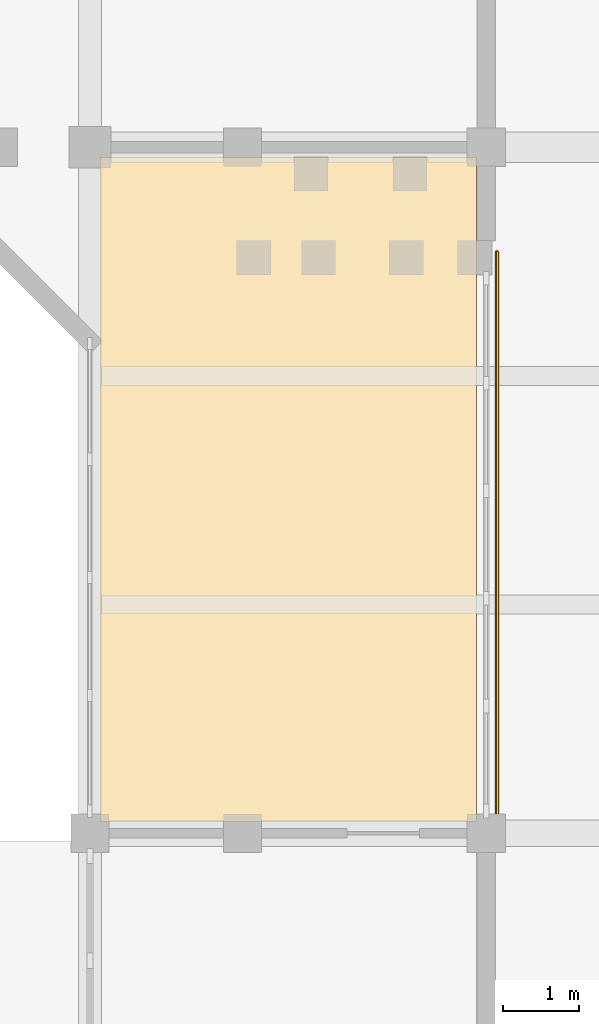
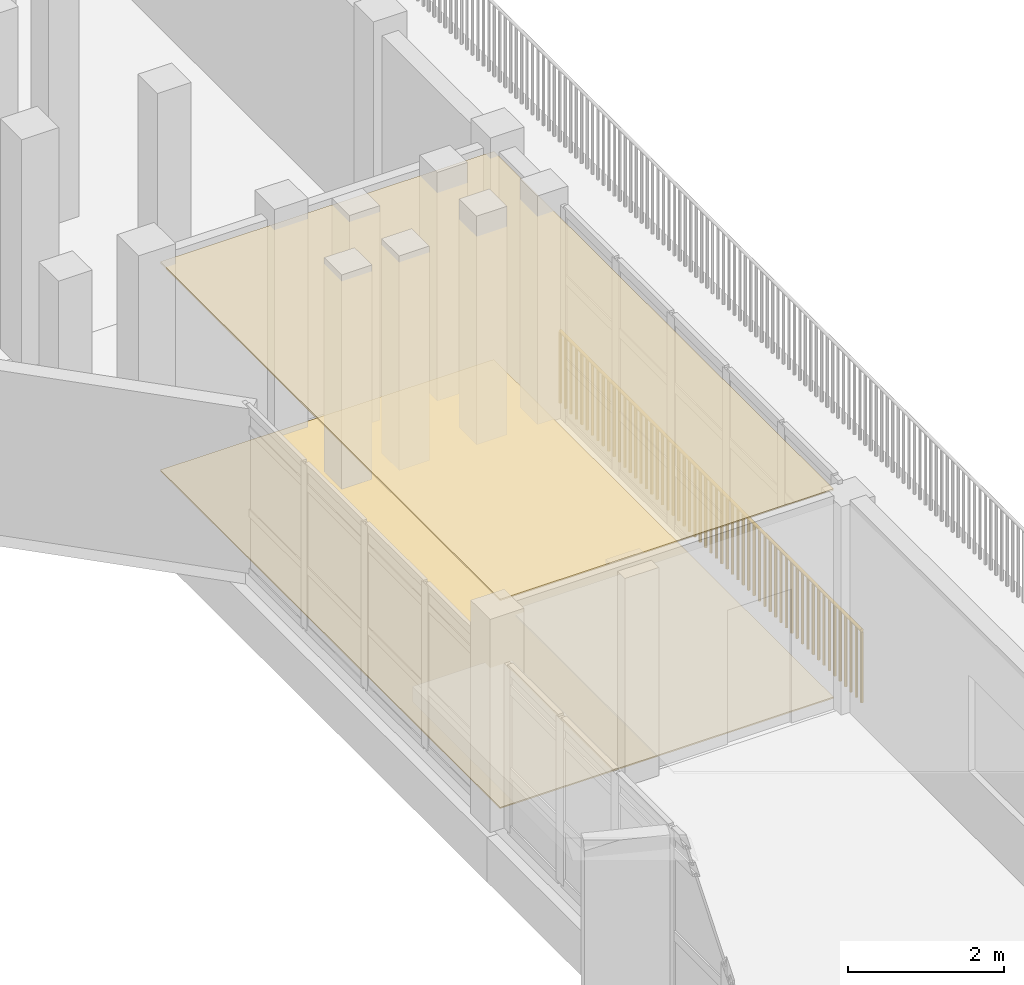
# One storey, part 47 of 51: 2 coverings, 1 railing.
"""IFC4 building model written with IfcOpenShell, lengths in metres."""

from ifc_helpers import new_model, si_unit, direction, frame, origin, origin_2d, place, context, subcontext, project, spatial, polyline, circle, outline, extrude, material, layer, layer_set, type_object, element, save


model = new_model("IFC4")

# Units and contexts
model_context = context("Model", 3, precision=1e-05, world=origin(), true_north=direction((0.0, 1.0)))
body_context = subcontext(model_context, "Body", "Model", "MODEL_VIEW")
ifc_project = project(units=[si_unit("LENGTHUNIT", "METRE"), si_unit("AREAUNIT", "SQUARE_METRE"), si_unit("VOLUMEUNIT", "CUBIC_METRE"), si_unit("PLANEANGLEUNIT", "RADIAN"), si_unit("MASSUNIT", "GRAM", prefix="KILO")], contexts=[model_context])

# Site, building, storey
site_placement = place(None, origin())
site = spatial("IfcSite", under=ifc_project, at=site_placement, CompositionType="ELEMENT")
building_placement = place(site_placement, origin())
building = spatial("IfcBuilding", under=site, at=building_placement, Name="Vanh Quang Courtyard School", CompositionType="ELEMENT")
storey_placement = place(building_placement, frame((0.0, 0.0, 11.39990234375)))
storey = spatial("IfcBuildingStorey", under=building, at=storey_placement, Name="L03", CompositionType="ELEMENT", Elevation=11.39990234375)

# Coverings
ifc_material_1 = material(Name="Perforated mineral-fibre acoustic ceiling board")
ifc_layer_1 = layer(ifc_material_1, 0.02490234375)
ifc_layer_set_1 = layer_set([ifc_layer_1], Name="Perforated mineral-fibre acoustic ceiling board")
covering_type_1 = type_object("IfcCoveringType", Name="COV-CEIL-ACOUSTIC", PredefinedType="CEILING", material=ifc_layer_set_1)
covering_1_placement = place(storey_placement, frame((0.0, 0.0, 3.255126953125)))
element("IfcCovering", 1, at=covering_1_placement, inside=storey, type_object=covering_type_1, Name="Covering CV-CL1 (L03)", PredefinedType="CEILING", context=body_context, shape_type="SweptSolid", body=[
    extrude(outline(polyline([(111.139892578125, 59.550048828125), (111.138916015625, 59.550048828125), (111.137939453125, 59.55029296875), (111.13720703125, 59.55029296875), (111.13623046875, 59.55078125), (111.13525390625, 59.55126953125), (111.134521484375, 59.5517578125), (111.1337890625, 59.55224609375), (111.1328125, 59.552978515625), (111.13232421875, 59.5537109375), (111.131591796875, 59.554443359375), (111.131103515625, 59.555419921875), (111.130859375, 59.55615234375), (111.13037109375, 59.55712890625), (111.130126953125, 59.55810546875), (111.1298828125, 59.55908203125), (111.1298828125, 59.56005859375), (111.1298828125, 68.260009765625), (111.1298828125, 68.260986328125), (111.130126953125, 68.261962890625), (111.13037109375, 68.262939453125), (111.130859375, 68.263916015625), (111.131103515625, 68.2646484375), (111.131591796875, 68.265625), (111.13232421875, 68.266357421875), (111.1328125, 68.26708984375), (111.1337890625, 68.267578125), (111.134521484375, 68.268310546875), (111.13525390625, 68.268798828125), (111.13623046875, 68.269287109375), (111.13720703125, 68.26953125), (111.137939453125, 68.269775390625), (111.138916015625, 68.27001953125), (111.139892578125, 68.27001953125), (116.06005859375, 68.27001953125), (116.06103515625, 68.27001953125), (116.06201171875, 68.269775390625), (116.06298828125, 68.26953125), (116.063720703125, 68.269287109375), (116.064697265625, 68.268798828125), (116.065673828125, 68.268310546875), (116.06640625, 68.267578125), (116.067138671875, 68.26708984375), (116.067626953125, 68.266357421875), (116.068359375, 68.265625), (116.06884765625, 68.2646484375), (116.069091796875, 68.263916015625), (116.069580078125, 68.262939453125), (116.06982421875, 68.261962890625), (116.070068359375, 68.260986328125), (116.070068359375, 68.260009765625), (116.070068359375, 59.56005859375), (116.070068359375, 59.55908203125), (116.06982421875, 59.55810546875), (116.069580078125, 59.55712890625), (116.069091796875, 59.55615234375), (116.06884765625, 59.555419921875), (116.068359375, 59.554443359375), (116.067626953125, 59.5537109375), (116.067138671875, 59.552978515625), (116.06640625, 59.55224609375), (116.065673828125, 59.5517578125), (116.064697265625, 59.55126953125), (116.063720703125, 59.55078125), (116.06298828125, 59.55029296875), (116.06201171875, 59.55029296875), (116.06103515625, 59.550048828125), (116.06005859375, 59.550048828125), (111.139892578125, 59.550048828125)])), origin(), (0.0, 0.0, 1.0), 0.02490234375),
])
ifc_material_2 = material(Name="Polished cementitious terrazzo tile", Category="concrete")
ifc_layer_2 = layer(ifc_material_2, 0.02001953125)
ifc_layer_set_2 = layer_set([ifc_layer_2], Name="Polished cementitious terrazzo tile")
covering_type_2 = type_object("IfcCoveringType", Name="COV-FLR-TERRAZZO", PredefinedType="FLOORING", material=ifc_layer_set_2)
covering_2_placement = place(storey_placement, origin())
element("IfcCovering", 2, at=covering_2_placement, inside=storey, type_object=covering_type_2, Name="Covering CV-FL1 (L03)", PredefinedType="FLOORING", context=body_context, shape_type="SweptSolid", body=[
    extrude(outline(polyline([(111.139892578125, 59.550048828125), (111.138916015625, 59.550048828125), (111.137939453125, 59.55029296875), (111.13720703125, 59.55029296875), (111.13623046875, 59.55078125), (111.13525390625, 59.55126953125), (111.134521484375, 59.5517578125), (111.1337890625, 59.55224609375), (111.1328125, 59.552978515625), (111.13232421875, 59.5537109375), (111.131591796875, 59.554443359375), (111.131103515625, 59.555419921875), (111.130859375, 59.55615234375), (111.13037109375, 59.55712890625), (111.130126953125, 59.55810546875), (111.1298828125, 59.55908203125), (111.1298828125, 59.56005859375), (111.1298828125, 68.260009765625), (111.1298828125, 68.260986328125), (111.130126953125, 68.261962890625), (111.13037109375, 68.262939453125), (111.130859375, 68.263916015625), (111.131103515625, 68.2646484375), (111.131591796875, 68.265625), (111.13232421875, 68.266357421875), (111.1328125, 68.26708984375), (111.1337890625, 68.267578125), (111.134521484375, 68.268310546875), (111.13525390625, 68.268798828125), (111.13623046875, 68.269287109375), (111.13720703125, 68.26953125), (111.137939453125, 68.269775390625), (111.138916015625, 68.27001953125), (111.139892578125, 68.27001953125), (116.06005859375, 68.27001953125), (116.06103515625, 68.27001953125), (116.06201171875, 68.269775390625), (116.06298828125, 68.26953125), (116.063720703125, 68.269287109375), (116.064697265625, 68.268798828125), (116.065673828125, 68.268310546875), (116.06640625, 68.267578125), (116.067138671875, 68.26708984375), (116.067626953125, 68.266357421875), (116.068359375, 68.265625), (116.06884765625, 68.2646484375), (116.069091796875, 68.263916015625), (116.069580078125, 68.262939453125), (116.06982421875, 68.261962890625), (116.070068359375, 68.260986328125), (116.070068359375, 68.260009765625), (116.070068359375, 59.56005859375), (116.070068359375, 59.55908203125), (116.06982421875, 59.55810546875), (116.069580078125, 59.55712890625), (116.069091796875, 59.55615234375), (116.06884765625, 59.555419921875), (116.068359375, 59.554443359375), (116.067626953125, 59.5537109375), (116.067138671875, 59.552978515625), (116.06640625, 59.55224609375), (116.065673828125, 59.5517578125), (116.064697265625, 59.55126953125), (116.063720703125, 59.55078125), (116.06298828125, 59.55029296875), (116.06201171875, 59.55029296875), (116.06103515625, 59.550048828125), (116.06005859375, 59.550048828125), (111.139892578125, 59.550048828125)])), origin(), (0.0, 0.0, 1.0), 0.02001953125),
])

# Railing
ifc_material_3 = material(Name="Galvanised painted steel EN 10025-2 S355J2", Category="steel")
railing_type = type_object("IfcRailingType", Name="RAIL-GUARD-1150", PredefinedType="BALUSTRADE", material=ifc_material_3)
railing_placement = place(storey_placement, frame((116.340087890625, 59.294677734375, 0.0)))
element("IfcRailing", 3, at=railing_placement, inside=storey, type_object=railing_type, Name="Railing GR-01 (L03)", PredefinedType="BALUSTRADE", context=body_context, shape_type="SweptSolid", body=[
    extrude(circle(Radius=0.02392578125, at=origin_2d()), frame((0.0, 0.0, 1.1259765625), z_axis=(0.0, 1.0, 0.0), x_axis=(-1.0, 0.0, 0.0)), (0.0, 0.0, 1.0), 7.735595703125),
    extrude(circle(Radius=0.02099609375, at=origin_2d()), origin(), (0.0, 0.0, 1.0), 1.101806640625),
    extrude(circle(Radius=0.02099609375, at=origin_2d()), frame((0.0, 0.13818359375, 0.0)), (0.0, 0.0, 1.0), 1.101806640625),
    extrude(circle(Radius=0.02099609375, at=origin_2d()), frame((0.0, 0.2763671875, 0.0)), (0.0, 0.0, 1.0), 1.101806640625),
    extrude(circle(Radius=0.02099609375, at=origin_2d()), frame((0.0, 0.414306640625, 0.0)), (0.0, 0.0, 1.0), 1.101806640625),
    extrude(circle(Radius=0.02099609375, at=origin_2d()), frame((0.0, 0.552490234375, 0.0)), (0.0, 0.0, 1.0), 1.101806640625),
    extrude(circle(Radius=0.02099609375, at=origin_2d()), frame((0.0, 0.690673828125, 0.0)), (0.0, 0.0, 1.0), 1.101806640625),
    extrude(circle(Radius=0.02099609375, at=origin_2d()), frame((0.0, 0.828857421875, 0.0)), (0.0, 0.0, 1.0), 1.101806640625),
    extrude(circle(Radius=0.02099609375, at=origin_2d()), frame((0.0, 0.967041015625, 0.0)), (0.0, 0.0, 1.0), 1.101806640625),
    extrude(circle(Radius=0.02099609375, at=origin_2d()), frame((0.0, 1.10498046875, 0.0)), (0.0, 0.0, 1.0), 1.101806640625),
    extrude(circle(Radius=0.02099609375, at=origin_2d()), frame((0.0, 1.2431640625, 0.0)), (0.0, 0.0, 1.0), 1.101806640625),
    extrude(circle(Radius=0.02099609375, at=origin_2d()), frame((0.0, 1.38134765625, 0.0)), (0.0, 0.0, 1.0), 1.101806640625),
    extrude(circle(Radius=0.02099609375, at=origin_2d()), frame((0.0, 1.51953125, 0.0)), (0.0, 0.0, 1.0), 1.101806640625),
    extrude(circle(Radius=0.02099609375, at=origin_2d()), frame((0.0, 1.65771484375, 0.0)), (0.0, 0.0, 1.0), 1.101806640625),
    extrude(circle(Radius=0.02099609375, at=origin_2d()), frame((0.0, 1.795654296875, 0.0)), (0.0, 0.0, 1.0), 1.101806640625),
    extrude(circle(Radius=0.02099609375, at=origin_2d()), frame((0.0, 1.933837890625, 0.0)), (0.0, 0.0, 1.0), 1.101806640625),
    extrude(circle(Radius=0.02099609375, at=origin_2d()), frame((0.0, 2.072021484375, 0.0)), (0.0, 0.0, 1.0), 1.101806640625),
    extrude(circle(Radius=0.02099609375, at=origin_2d()), frame((0.0, 2.210205078125, 0.0)), (0.0, 0.0, 1.0), 1.101806640625),
    extrude(circle(Radius=0.02099609375, at=origin_2d()), frame((0.0, 2.348388671875, 0.0)), (0.0, 0.0, 1.0), 1.101806640625),
    extrude(circle(Radius=0.02099609375, at=origin_2d()), frame((0.0, 2.486328125, 0.0)), (0.0, 0.0, 1.0), 1.101806640625),
    extrude(circle(Radius=0.02099609375, at=origin_2d()), frame((0.0, 2.62451171875, 0.0)), (0.0, 0.0, 1.0), 1.101806640625),
    extrude(circle(Radius=0.02099609375, at=origin_2d()), frame((0.0, 2.7626953125, 0.0)), (0.0, 0.0, 1.0), 1.101806640625),
    extrude(circle(Radius=0.02099609375, at=origin_2d()), frame((0.0, 2.90087890625, 0.0)), (0.0, 0.0, 1.0), 1.101806640625),
    extrude(circle(Radius=0.02099609375, at=origin_2d()), frame((0.0, 3.0390625, 0.0)), (0.0, 0.0, 1.0), 1.101806640625),
    extrude(circle(Radius=0.02099609375, at=origin_2d()), frame((0.0, 3.177001953125, 0.0)), (0.0, 0.0, 1.0), 1.101806640625),
    extrude(circle(Radius=0.02099609375, at=origin_2d()), frame((0.0, 3.315185546875, 0.0)), (0.0, 0.0, 1.0), 1.101806640625),
    extrude(circle(Radius=0.02099609375, at=origin_2d()), frame((0.0, 3.453369140625, 0.0)), (0.0, 0.0, 1.0), 1.101806640625),
    extrude(circle(Radius=0.02099609375, at=origin_2d()), frame((0.0, 3.591552734375, 0.0)), (0.0, 0.0, 1.0), 1.101806640625),
    extrude(circle(Radius=0.02099609375, at=origin_2d()), frame((0.0, 3.729736328125, 0.0)), (0.0, 0.0, 1.0), 1.101806640625),
    extrude(circle(Radius=0.02099609375, at=origin_2d()), frame((0.0, 3.86767578125, 0.0)), (0.0, 0.0, 1.0), 1.101806640625),
    extrude(circle(Radius=0.02099609375, at=origin_2d()), frame((0.0, 4.005859375, 0.0)), (0.0, 0.0, 1.0), 1.101806640625),
    extrude(circle(Radius=0.02099609375, at=origin_2d()), frame((0.0, 4.14404296875, 0.0)), (0.0, 0.0, 1.0), 1.101806640625),
    extrude(circle(Radius=0.02099609375, at=origin_2d()), frame((0.0, 4.2822265625, 0.0)), (0.0, 0.0, 1.0), 1.101806640625),
    extrude(circle(Radius=0.02099609375, at=origin_2d()), frame((0.0, 4.42041015625, 0.0)), (0.0, 0.0, 1.0), 1.101806640625),
    extrude(circle(Radius=0.02099609375, at=origin_2d()), frame((0.0, 4.55859375, 0.0)), (0.0, 0.0, 1.0), 1.101806640625),
    extrude(circle(Radius=0.02099609375, at=origin_2d()), frame((0.0, 4.696533203125, 0.0)), (0.0, 0.0, 1.0), 1.101806640625),
    extrude(circle(Radius=0.02099609375, at=origin_2d()), frame((0.0, 4.834716796875, 0.0)), (0.0, 0.0, 1.0), 1.101806640625),
    extrude(circle(Radius=0.02099609375, at=origin_2d()), frame((0.0, 4.972900390625, 0.0)), (0.0, 0.0, 1.0), 1.101806640625),
    extrude(circle(Radius=0.02099609375, at=origin_2d()), frame((0.0, 5.111083984375, 0.0)), (0.0, 0.0, 1.0), 1.101806640625),
    extrude(circle(Radius=0.02099609375, at=origin_2d()), frame((0.0, 5.249267578125, 0.0)), (0.0, 0.0, 1.0), 1.101806640625),
    extrude(circle(Radius=0.02099609375, at=origin_2d()), frame((0.0, 5.38720703125, 0.0)), (0.0, 0.0, 1.0), 1.101806640625),
    extrude(circle(Radius=0.02099609375, at=origin_2d()), frame((0.0, 5.525390625, 0.0)), (0.0, 0.0, 1.0), 1.101806640625),
    extrude(circle(Radius=0.02099609375, at=origin_2d()), frame((0.0, 5.66357421875, 0.0)), (0.0, 0.0, 1.0), 1.101806640625),
    extrude(circle(Radius=0.02099609375, at=origin_2d()), frame((0.0, 5.8017578125, 0.0)), (0.0, 0.0, 1.0), 1.101806640625),
    extrude(circle(Radius=0.02099609375, at=origin_2d()), frame((0.0, 5.93994140625, 0.0)), (0.0, 0.0, 1.0), 1.101806640625),
    extrude(circle(Radius=0.02099609375, at=origin_2d()), frame((0.0, 6.077880859375, 0.0)), (0.0, 0.0, 1.0), 1.101806640625),
    extrude(circle(Radius=0.02099609375, at=origin_2d()), frame((0.0, 6.216064453125, 0.0)), (0.0, 0.0, 1.0), 1.101806640625),
    extrude(circle(Radius=0.02099609375, at=origin_2d()), frame((0.0, 6.354248046875, 0.0)), (0.0, 0.0, 1.0), 1.101806640625),
    extrude(circle(Radius=0.02099609375, at=origin_2d()), frame((0.0, 6.492431640625, 0.0)), (0.0, 0.0, 1.0), 1.101806640625),
    extrude(circle(Radius=0.02099609375, at=origin_2d()), frame((0.0, 6.630615234375, 0.0)), (0.0, 0.0, 1.0), 1.101806640625),
    extrude(circle(Radius=0.02099609375, at=origin_2d()), frame((0.0, 6.7685546875, 0.0)), (0.0, 0.0, 1.0), 1.101806640625),
    extrude(circle(Radius=0.02099609375, at=origin_2d()), frame((0.0, 6.90673828125, 0.0)), (0.0, 0.0, 1.0), 1.101806640625),
    extrude(circle(Radius=0.02099609375, at=origin_2d()), frame((0.0, 7.044921875, 0.0)), (0.0, 0.0, 1.0), 1.101806640625),
    extrude(circle(Radius=0.02099609375, at=origin_2d()), frame((0.0, 7.18310546875, 0.0)), (0.0, 0.0, 1.0), 1.101806640625),
    extrude(circle(Radius=0.02099609375, at=origin_2d()), frame((0.0, 7.3212890625, 0.0)), (0.0, 0.0, 1.0), 1.101806640625),
    extrude(circle(Radius=0.02099609375, at=origin_2d()), frame((0.0, 7.459228515625, 0.0)), (0.0, 0.0, 1.0), 1.101806640625),
    extrude(circle(Radius=0.02099609375, at=origin_2d()), frame((0.0, 7.597412109375, 0.0)), (0.0, 0.0, 1.0), 1.101806640625),
    extrude(circle(Radius=0.02099609375, at=origin_2d()), frame((0.0, 7.735595703125, 0.0)), (0.0, 0.0, 1.0), 1.101806640625),
])

save(model, "model.ifc")
